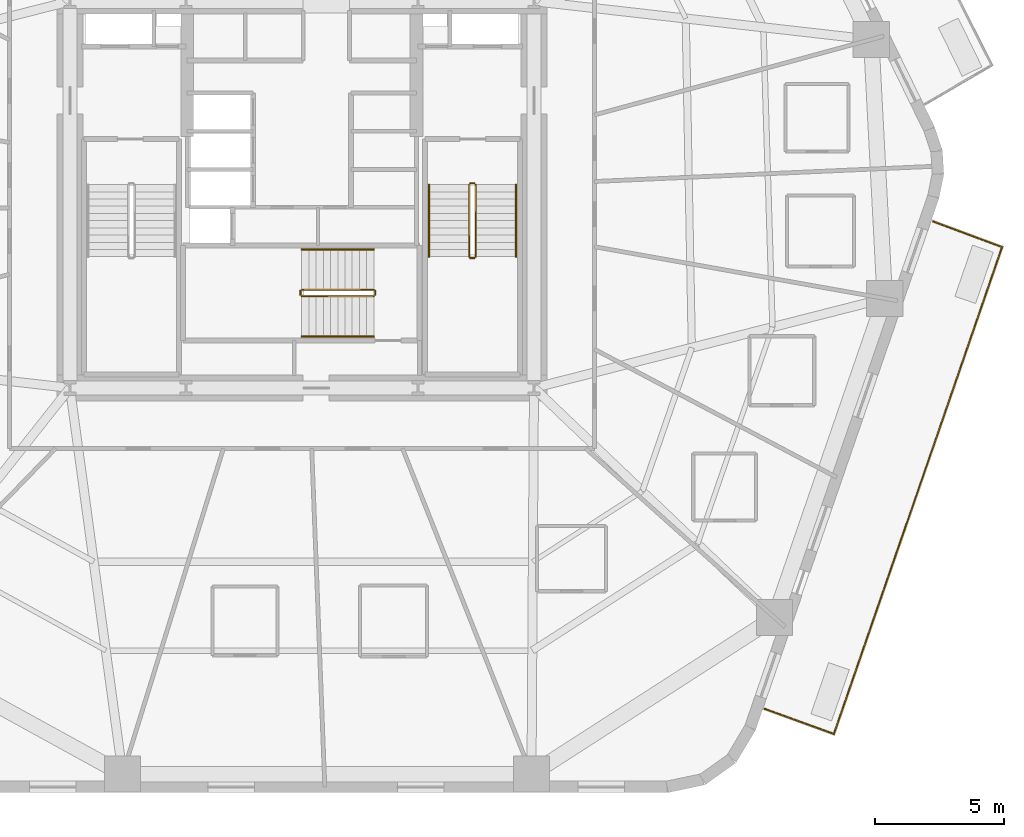
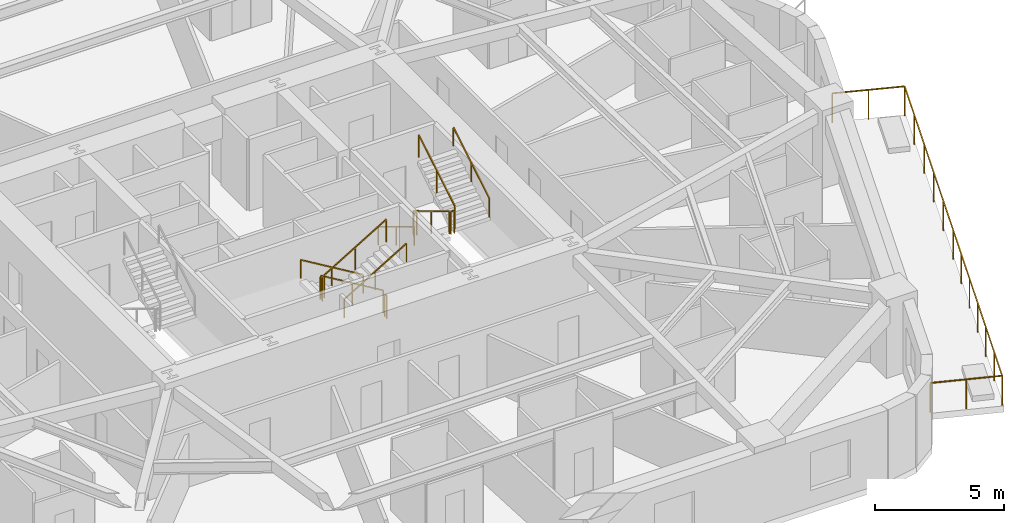
# One storey, part 9 of 10: 13 railings.
"""IFC4 building model written with IfcOpenShell, lengths in metres."""

from ifc_helpers import new_model, si_unit, direction, frame, origin, origin_2d, place, context, subcontext, project, spatial, rectangle, extrude, material, layer, layer_set, type_object, element, save


model = new_model("IFC4")

# Units and contexts
model_context = context("Model", 3, precision=1e-05, world=origin(), true_north=direction((0.0, 1.0)))
body_context = subcontext(model_context, "Body", "Model", "MODEL_VIEW")
ifc_project = project(units=[si_unit("LENGTHUNIT", "METRE"), si_unit("AREAUNIT", "SQUARE_METRE"), si_unit("VOLUMEUNIT", "CUBIC_METRE"), si_unit("PLANEANGLEUNIT", "RADIAN"), si_unit("MASSUNIT", "GRAM", prefix="KILO")], contexts=[model_context])

# Site, building, storey
site_placement = place(None, origin())
site = spatial("IfcSite", under=ifc_project, at=site_placement, CompositionType="ELEMENT")
building_placement = place(site_placement, origin())
building = spatial("IfcBuilding", under=site, at=building_placement, Name="Kilnhurst Terrace Hotel", CompositionType="ELEMENT")
storey_placement = place(building_placement, frame((0.0, 0.0, 52.699951171875)))
storey = spatial("IfcBuildingStorey", under=building, at=storey_placement, Name="L11", CompositionType="ELEMENT", Elevation=52.699951171875)

# Railings
ifc_material_1 = material(Name="Laminated SentryGlas and Stainless Steel AISI 316L Balustrade", Category="steel")
ifc_layer_1 = layer(ifc_material_1, 0.070068359375, Name="Laminated SentryGlas and Stainless Steel AISI 316L Balustrade")
ifc_layer_set_1 = layer_set([ifc_layer_1], Name="Laminated SentryGlas and Stainless Steel AISI 316L Balustrade")
railing_type_1 = type_object("IfcRailingType", Name="RLG-BAL-1420", PredefinedType="BALUSTRADE", material=ifc_layer_set_1)
railing_1_placement = place(storey_placement, frame((24.485107421875, -1.041748046875, 0.0)))
element("IfcRailing", 1, at=railing_1_placement, inside=storey, type_object=railing_type_1, Name="L11 Exterior Terrace Guardrail BAL-L1A.1", PredefinedType="BALUSTRADE", context=body_context, shape_type="SweptSolid", body=[
    extrude(rectangle(XDim=0.048095703125, YDim=0.048095703125, at=origin_2d()), frame((0.0, 0.0, 1.39599609375), z_axis=(0.937279097592, -0.348579823308, 0.0), x_axis=(0.348579823308, 0.937279097592, 0.0)), (0.0, 0.0, 1.0), 2.85205078125),
    extrude(rectangle(XDim=0.048095703125, YDim=0.048095703125, at=origin_2d()), frame((2.673095703125, -0.994140625, 1.39599609375), z_axis=(-0.326159116329, -0.945314884488, 0.0), x_axis=(0.945314884488, -0.326159116329, 0.0)), (0.0, 0.0, 1.0), 9.91650390625),
    extrude(rectangle(XDim=0.048095703125, YDim=0.048095703125, at=origin_2d()), frame((-0.561279296875, -10.368408203125, 1.39599609375), z_axis=(-0.326903959129, -0.945057565181, 0.0), x_axis=(0.945057565181, -0.326903959129, 0.0)), (0.0, 0.0, 1.0), 10.065673828125),
    extrude(rectangle(XDim=0.048095703125, YDim=0.048095703125, at=origin_2d()), frame((-3.851806640625, -19.881103515625, 1.39599609375), z_axis=(-0.939926315563, 0.341377388402, 0.0), x_axis=(-0.341377388402, -0.939926315563, 0.0)), (0.0, 0.0, 1.0), 2.84130859375),
    extrude(rectangle(XDim=0.0419921875, YDim=0.0419921875, at=origin_2d()), origin(), (0.0, 0.0, 1.0), 1.371826171875),
    extrude(rectangle(XDim=0.0419921875, YDim=0.0419921875, at=origin_2d()), frame((1.33642578125, -0.4970703125, 0.0)), (0.0, 0.0, 1.0), 1.371826171875),
    extrude(rectangle(XDim=0.0419921875, YDim=0.0419921875, at=origin_2d()), frame((2.673095703125, -0.994140625, 0.0)), (0.0, 0.0, 1.0), 1.371826171875),
    extrude(rectangle(XDim=0.0419921875, YDim=0.0419921875, at=origin_2d()), frame((2.026123046875, -2.868896484375, 0.0)), (0.0, 0.0, 1.0), 1.371826171875),
    extrude(rectangle(XDim=0.0419921875, YDim=0.0419921875, at=origin_2d()), frame((1.37939453125, -4.743896484375, 0.0)), (0.0, 0.0, 1.0), 1.371826171875),
    extrude(rectangle(XDim=0.0419921875, YDim=0.0419921875, at=origin_2d()), frame((0.732421875, -6.61865234375, 0.0)), (0.0, 0.0, 1.0), 1.371826171875),
    extrude(rectangle(XDim=0.0419921875, YDim=0.0419921875, at=origin_2d()), frame((0.085693359375, -8.49365234375, 0.0)), (0.0, 0.0, 1.0), 1.371826171875),
    extrude(rectangle(XDim=0.0419921875, YDim=0.0419921875, at=origin_2d()), frame((-0.561279296875, -10.368408203125, 0.0)), (0.0, 0.0, 1.0), 1.371826171875),
    extrude(rectangle(XDim=0.0419921875, YDim=0.0419921875, at=origin_2d()), frame((-1.109619140625, -11.953857421875, 0.0)), (0.0, 0.0, 1.0), 1.371826171875),
    extrude(rectangle(XDim=0.0419921875, YDim=0.0419921875, at=origin_2d()), frame((-1.658203125, -13.539306640625, 0.0)), (0.0, 0.0, 1.0), 1.371826171875),
    extrude(rectangle(XDim=0.0419921875, YDim=0.0419921875, at=origin_2d()), frame((-2.20654296875, -15.124755859375, 0.0)), (0.0, 0.0, 1.0), 1.371826171875),
    extrude(rectangle(XDim=0.0419921875, YDim=0.0419921875, at=origin_2d()), frame((-2.7548828125, -16.710205078125, 0.0)), (0.0, 0.0, 1.0), 1.371826171875),
    extrude(rectangle(XDim=0.0419921875, YDim=0.0419921875, at=origin_2d()), frame((-3.303466796875, -18.295654296875, 0.0)), (0.0, 0.0, 1.0), 1.371826171875),
    extrude(rectangle(XDim=0.0419921875, YDim=0.0419921875, at=origin_2d()), frame((-3.851806640625, -19.881103515625, 0.0)), (0.0, 0.0, 1.0), 1.371826171875),
    extrude(rectangle(XDim=0.0419921875, YDim=0.0419921875, at=origin_2d()), frame((-5.18701171875, -19.39599609375, 0.0)), (0.0, 0.0, 1.0), 1.371826171875),
    extrude(rectangle(XDim=0.0419921875, YDim=0.0419921875, at=origin_2d()), frame((-6.5224609375, -18.9111328125, 0.0)), (0.0, 0.0, 1.0), 1.371826171875),
])
ifc_material_2 = material(Name="Powder-Coated Steel ASTM A500 Grade B", Category="steel")
ifc_layer_2 = layer(ifc_material_2, 0.050048828125, Name="Powder-Coated Steel ASTM A500 Grade B")
ifc_layer_set_2 = layer_set([ifc_layer_2], Name="Powder-Coated Steel ASTM A500 Grade B")
railing_type_2 = type_object("IfcRailingType", Name="RLG-ST-GRD-1100", PredefinedType="GUARDRAIL", material=ifc_layer_set_2)
railing_2_placement = place(storey_placement, frame((6.489990234375, 0.389892578125, 0.168212890625)))
element("IfcRailing", 2, at=railing_2_placement, inside=storey, type_object=railing_type_2, Name="L11 ST-2 stair guard 1", PredefinedType="GUARDRAIL", context=body_context, shape_type="SweptSolid", body=[
    extrude(rectangle(XDim=0.048095703125, YDim=0.048095703125, at=origin_2d()), frame((0.0, 0.0, 1.076171875), z_axis=(0.0, -0.857222391501, 0.514946377315), x_axis=(1.0, 0.0, 0.0)), (0.0, 0.0, 1.0), 3.26611328125),
    extrude(rectangle(XDim=0.0419921875, YDim=0.0419921875, at=origin_2d()), origin(), (0.0, 0.0, 1.0), 1.052001953125),
    extrude(rectangle(XDim=0.0419921875, YDim=0.0419921875, at=origin_2d()), frame((0.0, -1.39990234375, 0.8408203125)), (0.0, 0.0, 1.0), 1.052001953125),
    extrude(rectangle(XDim=0.0419921875, YDim=0.0419921875, at=origin_2d()), frame((0.0, -2.7998046875, 1.681884765625)), (0.0, 0.0, 1.0), 1.052001953125),
])
railing_3_placement = place(storey_placement, frame((6.5400390625, -2.4599609375, 1.85009765625)))
element("IfcRailing", 3, at=railing_3_placement, inside=storey, type_object=railing_type_2, Name="L11 ST-2 stair guard 2", PredefinedType="GUARDRAIL", context=body_context, shape_type="SweptSolid", body=[
    extrude(rectangle(XDim=0.048095703125, YDim=0.048095703125, at=origin_2d()), frame((0.0, 0.0, 1.076171875), z_axis=(1.0, 0.0, 0.0), x_axis=(0.0, 1.0, 0.0)), (0.0, 0.0, 1.0), 0.14990234375),
    extrude(rectangle(XDim=0.0419921875, YDim=0.0419921875, at=origin_2d()), origin(), (0.0, 0.0, 1.0), 1.052001953125),
    extrude(rectangle(XDim=0.0419921875, YDim=0.0419921875, at=origin_2d()), frame((0.14990234375, 0.0, 0.0)), (0.0, 0.0, 1.0), 1.052001953125),
])
railing_4_placement = place(storey_placement, frame((6.739990234375, -2.409912109375, 2.018310546875)))
element("IfcRailing", 4, at=railing_4_placement, inside=storey, type_object=railing_type_2, Name="L11 ST-2 stair guard 3", PredefinedType="GUARDRAIL", context=body_context, shape_type="SweptSolid", body=[
    extrude(rectangle(XDim=0.048095703125, YDim=0.048095703125, at=origin_2d()), frame((0.0, 0.0, 1.076171875), z_axis=(0.0, 0.857255387014, 0.514891446264), x_axis=(-1.0, 0.0, 0.0)), (0.0, 0.0, 1.0), 3.26611328125),
    extrude(rectangle(XDim=0.0419921875, YDim=0.0419921875, at=origin_2d()), origin(), (0.0, 0.0, 1.0), 1.052001953125),
    extrude(rectangle(XDim=0.0419921875, YDim=0.0419921875, at=origin_2d()), frame((0.0, 1.39990234375, 0.8408203125)), (0.0, 0.0, 1.0), 1.052001953125),
    extrude(rectangle(XDim=0.0419921875, YDim=0.0419921875, at=origin_2d()), frame((0.0, 2.7998046875, 1.681640625)), (0.0, 0.0, 1.0), 1.052001953125),
])
railing_5_placement = place(storey_placement, frame((6.5400390625, 0.43994140625, 0.0)))
element("IfcRailing", 5, at=railing_5_placement, inside=storey, type_object=railing_type_2, Name="L11 ST-2 stair guard 4", PredefinedType="GUARDRAIL", context=body_context, shape_type="SweptSolid", body=[
    extrude(rectangle(XDim=0.048095703125, YDim=0.048095703125, at=origin_2d()), frame((0.0, 0.0, 1.076171875), z_axis=(1.0, 0.0, 0.0), x_axis=(0.0, 1.0, 0.0)), (0.0, 0.0, 1.0), 0.14990234375),
    extrude(rectangle(XDim=0.0419921875, YDim=0.0419921875, at=origin_2d()), origin(), (0.0, 0.0, 1.0), 1.052001953125),
    extrude(rectangle(XDim=0.0419921875, YDim=0.0419921875, at=origin_2d()), frame((0.14990234375, 0.0, 0.0)), (0.0, 0.0, 1.0), 1.052001953125),
])
railing_6_placement = place(storey_placement, frame((2.7900390625, -3.68994140625, 0.168212890625)))
element("IfcRailing", 6, at=railing_6_placement, inside=storey, type_object=railing_type_2, Name="L11 ST-3 stair guard 1", PredefinedType="GUARDRAIL", context=body_context, shape_type="SweptSolid", body=[
    extrude(rectangle(XDim=0.048095703125, YDim=0.048095703125, at=origin_2d()), frame((0.0, 0.0, 1.076171875), z_axis=(-0.857242210791, 0.0, 0.514913383045), x_axis=(0.0, -1.0, 0.0)), (0.0, 0.0, 1.0), 3.266357421875),
    extrude(rectangle(XDim=0.0419921875, YDim=0.0419921875, at=origin_2d()), origin(), (0.0, 0.0, 1.0), 1.052001953125),
    extrude(rectangle(XDim=0.0419921875, YDim=0.0419921875, at=origin_2d()), frame((-1.39990234375, 0.0, 0.8408203125)), (0.0, 0.0, 1.0), 1.052001953125),
    extrude(rectangle(XDim=0.0419921875, YDim=0.0419921875, at=origin_2d()), frame((-2.800048828125, 0.0, 1.681884765625)), (0.0, 0.0, 1.0), 1.052001953125),
])
railing_7_placement = place(storey_placement, frame((-0.06005859375, -3.739990234375, 1.85009765625)))
element("IfcRailing", 7, at=railing_7_placement, inside=storey, type_object=railing_type_2, Name="L11 ST-3 stair guard 2", PredefinedType="GUARDRAIL", context=body_context, shape_type="SweptSolid", body=[
    extrude(rectangle(XDim=0.048095703125, YDim=0.048095703125, at=origin_2d()), frame((0.0, 0.0, 1.076171875), z_axis=(0.0, -1.0, 0.0), x_axis=(1.0, 0.0, 0.0)), (0.0, 0.0, 1.0), 0.14990234375),
    extrude(rectangle(XDim=0.0419921875, YDim=0.0419921875, at=origin_2d()), origin(), (0.0, 0.0, 1.0), 1.052001953125),
    extrude(rectangle(XDim=0.0419921875, YDim=0.0419921875, at=origin_2d()), frame((0.0, -0.14990234375, 0.0)), (0.0, 0.0, 1.0), 1.052001953125),
])
railing_8_placement = place(storey_placement, frame((-0.010009765625, -3.93994140625, 2.018310546875)))
element("IfcRailing", 8, at=railing_8_placement, inside=storey, type_object=railing_type_2, Name="L11 ST-3 stair guard 3", PredefinedType="GUARDRAIL", context=body_context, shape_type="SweptSolid", body=[
    extrude(rectangle(XDim=0.048095703125, YDim=0.048095703125, at=origin_2d()), frame((0.0, 0.0, 1.076171875), z_axis=(0.857275202839, 0.0, 0.514858452973), x_axis=(0.0, 1.0, 0.0)), (0.0, 0.0, 1.0), 3.26611328125),
    extrude(rectangle(XDim=0.0419921875, YDim=0.0419921875, at=origin_2d()), origin(), (0.0, 0.0, 1.0), 1.052001953125),
    extrude(rectangle(XDim=0.0419921875, YDim=0.0419921875, at=origin_2d()), frame((1.39990234375, 0.0, 0.8408203125)), (0.0, 0.0, 1.0), 1.052001953125),
    extrude(rectangle(XDim=0.0419921875, YDim=0.0419921875, at=origin_2d()), frame((2.800048828125, 0.0, 1.681640625)), (0.0, 0.0, 1.0), 1.052001953125),
])
railing_9_placement = place(storey_placement, frame((2.840087890625, -3.739990234375, 0.0)))
element("IfcRailing", 9, at=railing_9_placement, inside=storey, type_object=railing_type_2, Name="L11 ST-3 stair guard 4", PredefinedType="GUARDRAIL", context=body_context, shape_type="SweptSolid", body=[
    extrude(rectangle(XDim=0.048095703125, YDim=0.048095703125, at=origin_2d()), frame((0.0, 0.0, 1.076171875), z_axis=(0.0, -1.0, 0.0), x_axis=(1.0, 0.0, 0.0)), (0.0, 0.0, 1.0), 0.14990234375),
    extrude(rectangle(XDim=0.0419921875, YDim=0.0419921875, at=origin_2d()), origin(), (0.0, 0.0, 1.0), 1.052001953125),
    extrude(rectangle(XDim=0.0419921875, YDim=0.0419921875, at=origin_2d()), frame((0.0, -0.14990234375, 0.0)), (0.0, 0.0, 1.0), 1.052001953125),
])
ifc_material_3 = material(Name="Brushed Stainless Steel AISI 304", Category="steel")
ifc_layer_3 = layer(ifc_material_3, 0.048095703125, Name="Brushed Stainless Steel AISI 304")
ifc_layer_set_3 = layer_set([ifc_layer_3], Name="Brushed Stainless Steel AISI 304")
railing_type_3 = type_object("IfcRailingType", Name="RLG-ST-HRL-900", PredefinedType="HANDRAIL", material=ifc_layer_set_3)
railing_10_placement = place(storey_placement, frame((4.929931640625, 0.389892578125, 0.168212890625)))
element("IfcRailing", 10, at=railing_10_placement, inside=storey, type_object=railing_type_3, Name="L11 ST-2 stair handrail 1", PredefinedType="HANDRAIL", context=body_context, shape_type="SweptSolid", body=[
    extrude(rectangle(XDim=0.048095703125, YDim=0.048095703125, at=origin_2d()), frame((0.0, 0.0, 0.8759765625), z_axis=(0.0, -0.857222391501, 0.514946377315), x_axis=(1.0, 0.0, 0.0)), (0.0, 0.0, 1.0), 3.26611328125),
    extrude(rectangle(XDim=0.0419921875, YDim=0.0419921875, at=origin_2d()), origin(), (0.0, 0.0, 1.0), 0.851806640625),
    extrude(rectangle(XDim=0.0419921875, YDim=0.0419921875, at=origin_2d()), frame((0.0, -1.39990234375, 0.8408203125)), (0.0, 0.0, 1.0), 0.851806640625),
    extrude(rectangle(XDim=0.0419921875, YDim=0.0419921875, at=origin_2d()), frame((0.0, -2.7998046875, 1.681884765625)), (0.0, 0.0, 1.0), 0.851806640625),
])
railing_11_placement = place(storey_placement, frame((8.300048828125, -2.409912109375, 2.018310546875)))
element("IfcRailing", 11, at=railing_11_placement, inside=storey, type_object=railing_type_3, Name="L11 ST-2 stair handrail 2", PredefinedType="HANDRAIL", context=body_context, shape_type="SweptSolid", body=[
    extrude(rectangle(XDim=0.048095703125, YDim=0.048095703125, at=origin_2d()), frame((0.0, 0.0, 0.8759765625), z_axis=(0.0, 0.857255387014, 0.514891446264), x_axis=(-1.0, 0.0, 0.0)), (0.0, 0.0, 1.0), 3.26611328125),
    extrude(rectangle(XDim=0.0419921875, YDim=0.0419921875, at=origin_2d()), origin(), (0.0, 0.0, 1.0), 0.851806640625),
    extrude(rectangle(XDim=0.0419921875, YDim=0.0419921875, at=origin_2d()), frame((0.0, 1.39990234375, 0.8408203125)), (0.0, 0.0, 1.0), 0.851806640625),
    extrude(rectangle(XDim=0.0419921875, YDim=0.0419921875, at=origin_2d()), frame((0.0, 2.7998046875, 1.681640625)), (0.0, 0.0, 1.0), 0.851806640625),
])
railing_12_placement = place(storey_placement, frame((2.7900390625, -2.1298828125, 0.168212890625)))
element("IfcRailing", 12, at=railing_12_placement, inside=storey, type_object=railing_type_3, Name="L11 ST-3 stair handrail 1", PredefinedType="HANDRAIL", context=body_context, shape_type="SweptSolid", body=[
    extrude(rectangle(XDim=0.048095703125, YDim=0.048095703125, at=origin_2d()), frame((0.0, 0.0, 0.8759765625), z_axis=(-0.857242210791, 0.0, 0.514913383045), x_axis=(0.0, -1.0, 0.0)), (0.0, 0.0, 1.0), 3.266357421875),
    extrude(rectangle(XDim=0.0419921875, YDim=0.0419921875, at=origin_2d()), origin(), (0.0, 0.0, 1.0), 0.851806640625),
    extrude(rectangle(XDim=0.0419921875, YDim=0.0419921875, at=origin_2d()), frame((-1.39990234375, 0.0, 0.8408203125)), (0.0, 0.0, 1.0), 0.851806640625),
    extrude(rectangle(XDim=0.0419921875, YDim=0.0419921875, at=origin_2d()), frame((-2.800048828125, 0.0, 1.681884765625)), (0.0, 0.0, 1.0), 0.851806640625),
])
railing_13_placement = place(storey_placement, frame((-0.010009765625, -5.5, 2.018310546875)))
element("IfcRailing", 13, at=railing_13_placement, inside=storey, type_object=railing_type_3, Name="L11 ST-3 stair handrail 2", PredefinedType="HANDRAIL", context=body_context, shape_type="SweptSolid", body=[
    extrude(rectangle(XDim=0.048095703125, YDim=0.048095703125, at=origin_2d()), frame((0.0, 0.0, 0.8759765625), z_axis=(0.857275202839, 0.0, 0.514858452973), x_axis=(0.0, 1.0, 0.0)), (0.0, 0.0, 1.0), 3.26611328125),
    extrude(rectangle(XDim=0.0419921875, YDim=0.0419921875, at=origin_2d()), origin(), (0.0, 0.0, 1.0), 0.851806640625),
    extrude(rectangle(XDim=0.0419921875, YDim=0.0419921875, at=origin_2d()), frame((1.39990234375, 0.0, 0.8408203125)), (0.0, 0.0, 1.0), 0.851806640625),
    extrude(rectangle(XDim=0.0419921875, YDim=0.0419921875, at=origin_2d()), frame((2.800048828125, 0.0, 1.681640625)), (0.0, 0.0, 1.0), 0.851806640625),
])

save(model, "model.ifc")
